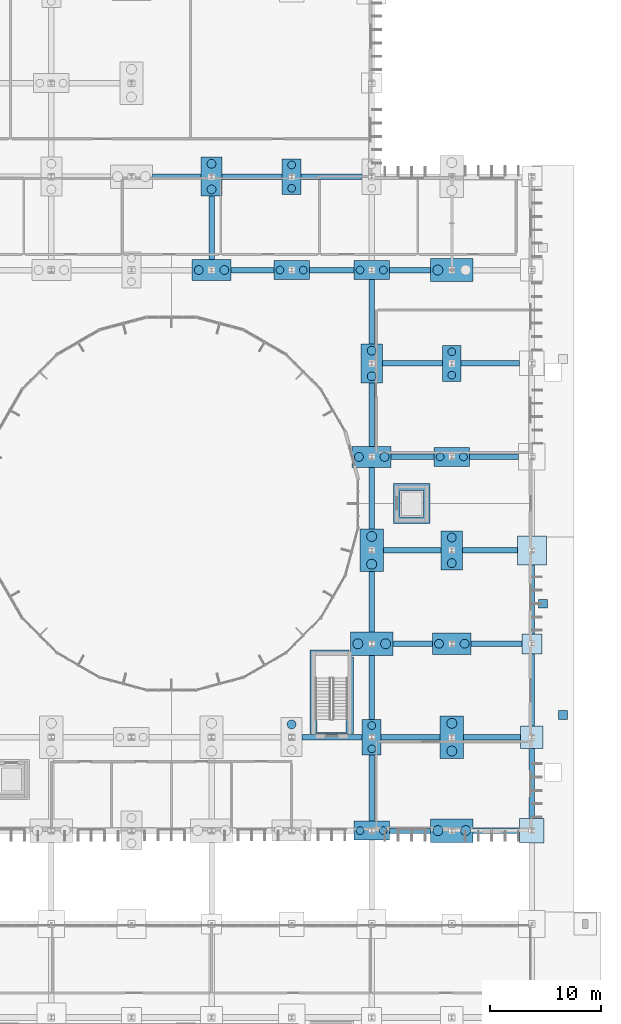
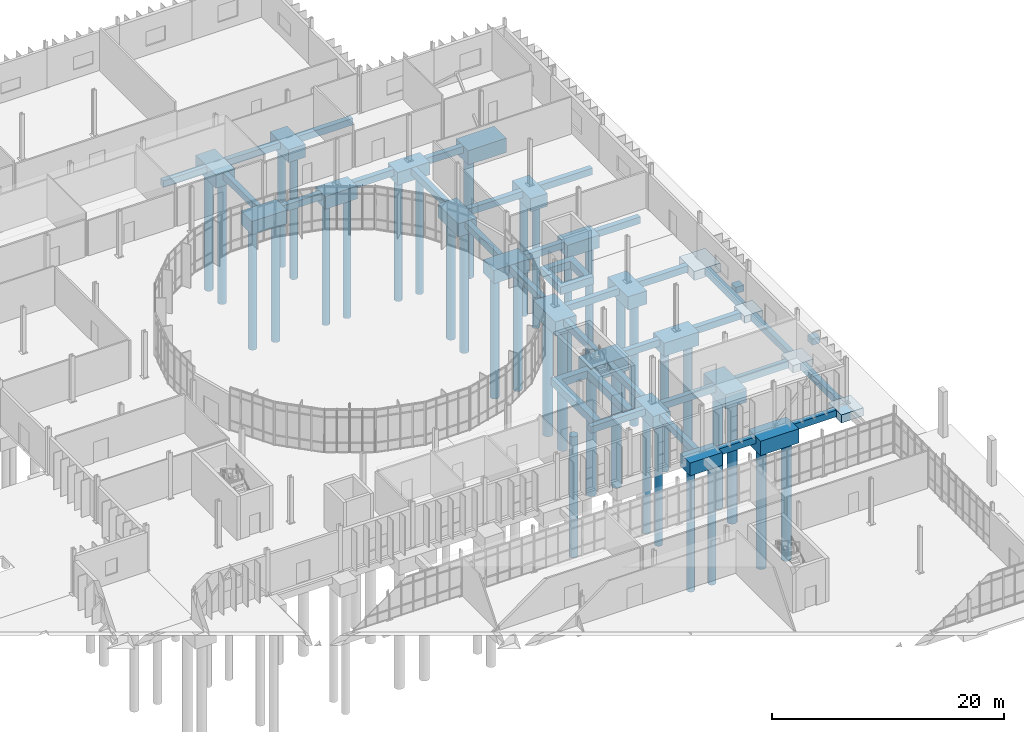
# One storey, part 6 of 118: 55 footings, 36 piles.
"""IFC4 building model written with IfcOpenShell, lengths in metres."""

from ifc_helpers import new_model, si_unit, direction, frame, origin, origin_2d, place, context, subcontext, project, spatial, polyline, rectangle, circle, outline, extrude, material, layer, layer_set, material_profile, profile_set, type_object, element, save


model = new_model("IFC4")

# Units and contexts
model_context = context("Model", 3, precision=1e-05, world=origin(), true_north=direction((0.0, 1.0)))
body_context = subcontext(model_context, "Body", "Model", "MODEL_VIEW")
ifc_project = project(units=[si_unit("LENGTHUNIT", "METRE"), si_unit("AREAUNIT", "SQUARE_METRE"), si_unit("VOLUMEUNIT", "CUBIC_METRE"), si_unit("PLANEANGLEUNIT", "RADIAN"), si_unit("MASSUNIT", "GRAM", prefix="KILO")], contexts=[model_context])

# Site, building, storey
site_placement = place(None, origin())
site = spatial("IfcSite", under=ifc_project, at=site_placement, CompositionType="ELEMENT")
building_placement = place(site_placement, origin())
building = spatial("IfcBuilding", under=site, at=building_placement, Name="Qelthora Terrace Specialist Clinic", CompositionType="ELEMENT")
storey_placement = place(building_placement, origin())
storey = spatial("IfcBuildingStorey", under=building, at=storey_placement, Name="L00", CompositionType="ELEMENT", Elevation=0.0)

# Footings
ifc_material = material(Name="Concrete C35/45", Category="concrete")
ifc_layer_1 = layer(ifc_material, 1.35009765625)
ifc_layer_set_1 = layer_set([ifc_layer_1], Name="Concrete C35/45")
footing_type_1 = type_object("IfcFootingType", Name="PC-1700X3200X1350", PredefinedType="PILE_CAP", material=ifc_layer_set_1)
for number, where, z_axis, x_axis, name in (
    (1, (136.800048828125, 92.39990234375, -1.610107421875), (0.0, 0.0, 1.0), (1.0, 0.0, 0.0), "Foundation FTG-L00-221"),
    (2, (144.0, 42.0, -1.610107421875), (0.0, 0.0, 1.0), (1.0, 0.0, 0.0), "Foundation FTG-L00-227"),
    (3, (151.199951171875, 75.60009765625, -1.610107421875), (0.0, 0.0, 1.0), (1.0, 0.0, 0.0), "Foundation FTG-L00-245"),
):
    element("IfcFooting", number, at=place(storey_placement, frame(where, z_axis=z_axis, x_axis=x_axis)), inside=storey, type_object=footing_type_1, Name=name, PredefinedType="PILE_CAP", context=body_context, shape_type="SweptSolid", body=[
        extrude(rectangle(XDim=1.699951171875, YDim=3.199951171875, at=origin_2d()), origin(), (0.0, 0.0, 1.0), 1.35009765625),
    ])
ifc_layer_2 = layer(ifc_material, 1.39990234375)
ifc_layer_set_2 = layer_set([ifc_layer_2], Name="Concrete C35/45")
footing_type_2 = type_object("IfcFootingType", Name="PC-1900X3500X1400", PredefinedType="PILE_CAP", material=ifc_layer_set_2)
for number, where, z_axis, x_axis, name in (
    (4, (129.60009765625, 92.39990234375, -1.659912109375), (0.0, 0.0, 1.0), (1.0, 0.0, 0.0), "Foundation FTG-L00-213"),
    (5, (144.0, 75.60009765625, -1.659912109375), (0.0, 0.0, 1.0), (1.0, 0.0, 0.0), "Foundation FTG-L00-231"),
    (6, (151.199951171875, 58.800048828125, -1.659912109375), (0.0, 0.0, 1.0), (1.0, 0.0, 0.0), "Foundation FTG-L00-243"),
):
    element("IfcFooting", number, at=place(storey_placement, frame(where, z_axis=z_axis, x_axis=x_axis)), inside=storey, type_object=footing_type_2, Name=name, PredefinedType="PILE_CAP", context=body_context, shape_type="SweptSolid", body=[
        extrude(rectangle(XDim=1.89990234375, YDim=3.5, at=origin_2d()), origin(), (0.0, 0.0, 1.0), 1.39990234375),
    ])
ifc_layer_3 = layer(ifc_material, 1.5)
ifc_layer_set_3 = layer_set([ifc_layer_3], Name="Concrete C35/45")
footing_type_3 = type_object("IfcFootingType", Name="PC-2100X3800X1500", PredefinedType="PILE_CAP", material=ifc_layer_set_3)
for number, where, z_axis, x_axis, name in (
    (7, (144.0, 58.800048828125, -1.760009765625), (0.0, 0.0, 1.0), (1.0, 0.0, 0.0), "Foundation FTG-L00-229"),
    (8, (151.199951171875, 42.0, -1.760009765625), (0.0, 0.0, 1.0), (1.0, 0.0, 0.0), "Foundation FTG-L00-241"),
):
    element("IfcFooting", number, at=place(storey_placement, frame(where, z_axis=z_axis, x_axis=x_axis)), inside=storey, type_object=footing_type_3, Name=name, PredefinedType="PILE_CAP", context=body_context, shape_type="SweptSolid", body=[
        extrude(rectangle(XDim=2.10009765625, YDim=3.800048828125, at=origin_2d()), origin(), (0.0, 0.0, 1.0), 1.5),
    ])
ifc_layer_4 = layer(ifc_material, 1.35009765625)
ifc_layer_set_4 = layer_set([ifc_layer_4], Name="Concrete C35/45")
footing_type_4 = type_object("IfcFootingType", Name="PC-3200X1700X1350", PredefinedType="PILE_CAP", material=ifc_layer_set_4)
for number, where, z_axis, x_axis, name in (
    (9, (136.800048828125, 84.0, -1.610107421875), (0.0, 0.0, 1.0), (1.0, 0.0, 0.0), "Foundation FTG-L00-220"),
    (10, (144.0, 33.60009765625, -1.610107421875), (0.0, 0.0, 1.0), (1.0, 0.0, 0.0), "Foundation FTG-L00-226"),
    (11, (144.0, 84.0, -1.610107421875), (0.0, 0.0, 1.0), (1.0, 0.0, 0.0), "Foundation FTG-L00-232"),
    (12, (151.199951171875, 67.199951171875, -1.610107421875), (0.0, 0.0, 1.0), (1.0, 0.0, 0.0), "Foundation FTG-L00-244"),
):
    element("IfcFooting", number, at=place(storey_placement, frame(where, z_axis=z_axis, x_axis=x_axis)), inside=storey, type_object=footing_type_4, Name=name, PredefinedType="PILE_CAP", context=body_context, shape_type="SweptSolid", body=[
        extrude(rectangle(XDim=3.199951171875, YDim=1.699951171875, at=origin_2d()), origin(), (0.0, 0.0, 1.0), 1.35009765625),
    ])
ifc_layer_5 = layer(ifc_material, 1.39990234375)
ifc_layer_set_5 = layer_set([ifc_layer_5], Name="Concrete C35/45")
footing_type_5 = type_object("IfcFootingType", Name="PC-3500X1900X1400", PredefinedType="PILE_CAP", material=ifc_layer_set_5)
for number, where, z_axis, x_axis, name in (
    (13, (129.60009765625, 84.0, -1.659912109375), (0.0, 0.0, 1.0), (1.0, 0.0, 0.0), "Foundation FTG-L00-212"),
    (14, (144.0, 67.199951171875, -1.659912109375), (0.0, 0.0, 1.0), (1.0, 0.0, 0.0), "Foundation FTG-L00-230"),
    (15, (151.199951171875, 50.39990234375, -1.659912109375), (0.0, 0.0, 1.0), (1.0, 0.0, 0.0), "Foundation FTG-L00-242"),
):
    element("IfcFooting", number, at=place(storey_placement, frame(where, z_axis=z_axis, x_axis=x_axis)), inside=storey, type_object=footing_type_5, Name=name, PredefinedType="PILE_CAP", context=body_context, shape_type="SweptSolid", body=[
        extrude(rectangle(XDim=3.5, YDim=1.89990234375, at=origin_2d()), origin(), (0.0, 0.0, 1.0), 1.39990234375),
    ])
ifc_layer_6 = layer(ifc_material, 1.5)
ifc_layer_set_6 = layer_set([ifc_layer_6], Name="Concrete C35/45")
footing_type_6 = type_object("IfcFootingType", Name="PC-3800X2100X1500", PredefinedType="PILE_CAP", material=ifc_layer_set_6)
for number, where, z_axis, x_axis, name in (
    (16, (144.0, 50.39990234375, -1.760009765625), (0.0, 0.0, 1.0), (1.0, 0.0, 0.0), "Foundation FTG-L00-228"),
    (17, (151.199951171875, 33.60009765625, -1.760009765625), (0.0, 0.0, 1.0), (1.0, 0.0, 0.0), "Foundation FTG-L00-240"),
    (18, (151.199951171875, 84.0, -1.760009765625), (0.0, 0.0, 1.0), (1.0, 0.0, 0.0), "Foundation FTG-L00-246"),
):
    element("IfcFooting", number, at=place(storey_placement, frame(where, z_axis=z_axis, x_axis=x_axis)), inside=storey, type_object=footing_type_6, Name=name, PredefinedType="PILE_CAP", context=body_context, shape_type="SweptSolid", body=[
        extrude(rectangle(XDim=3.800048828125, YDim=2.10009765625, at=origin_2d()), origin(), (0.0, 0.0, 1.0), 1.5),
    ])
ifc_layer_7 = layer(ifc_material, 0.75)
ifc_layer_set_7 = layer_set([ifc_layer_7], Name="Concrete C35/45")
footing_type_7 = type_object("IfcFootingType", Name="PF-1800X1800X750", PredefinedType="PAD_FOOTING", material=ifc_layer_set_7)
footing_1_placement = place(storey_placement, frame((158.39990234375, 50.39990234375, -1.010009765625), z_axis=(0.0, 0.0, 1.0), x_axis=(1.0, 0.0, 0.0)))
element("IfcFooting", 19, at=footing_1_placement, inside=storey, type_object=footing_type_7, Name="Foundation FTG-L00-254", PredefinedType="PAD_FOOTING", context=body_context, shape_type="SweptSolid", body=[
    extrude(rectangle(XDim=1.800048828125, YDim=1.800048828125, at=origin_2d()), origin(), (0.0, 0.0, 1.0), 0.75),
])
ifc_layer_8 = layer(ifc_material, 0.800048828125)
ifc_layer_set_8 = layer_set([ifc_layer_8], Name="Concrete C35/45")
footing_type_8 = type_object("IfcFootingType", Name="PF-2000X2000X800", PredefinedType="PAD_FOOTING", material=ifc_layer_set_8)
footing_2_placement = place(storey_placement, frame((158.39990234375, 42.0, -1.06005859375), z_axis=(0.0, 0.0, 1.0), x_axis=(1.0, 0.0, 0.0)))
element("IfcFooting", 20, at=footing_2_placement, inside=storey, type_object=footing_type_8, Name="Foundation FTG-L00-253", PredefinedType="PAD_FOOTING", context=body_context, shape_type="SweptSolid", body=[
    extrude(rectangle(XDim=2.0, YDim=2.0, at=origin_2d()), origin(), (0.0, 0.0, 1.0), 0.800048828125),
])
ifc_layer_9 = layer(ifc_material, 0.85009765625)
ifc_layer_set_9 = layer_set([ifc_layer_9], Name="Concrete C35/45")
footing_type_9 = type_object("IfcFootingType", Name="PF-2200X2200X850", PredefinedType="PAD_FOOTING", material=ifc_layer_set_9)
footing_3_placement = place(storey_placement, frame((158.39990234375, 33.60009765625, -1.110107421875), z_axis=(0.0, 0.0, 1.0), x_axis=(1.0, 0.0, 0.0)))
element("IfcFooting", 21, at=footing_3_placement, inside=storey, type_object=footing_type_9, Name="Foundation FTG-L00-252", PredefinedType="PAD_FOOTING", context=body_context, shape_type="SweptSolid", body=[
    extrude(rectangle(XDim=2.199951171875, YDim=2.199951171875, at=origin_2d()), origin(), (0.0, 0.0, 1.0), 0.85009765625),
])
ifc_layer_10 = layer(ifc_material, 0.949951171875)
ifc_layer_set_10 = layer_set([ifc_layer_10], Name="Concrete C35/45")
footing_type_10 = type_object("IfcFootingType", Name="PF-2600X2600X950", PredefinedType="PAD_FOOTING", material=ifc_layer_set_10)
footing_4_placement = place(storey_placement, frame((158.39990234375, 58.800048828125, -1.2099609375), z_axis=(0.0, 0.0, 1.0), x_axis=(1.0, 0.0, 0.0)))
element("IfcFooting", 22, at=footing_4_placement, inside=storey, type_object=footing_type_10, Name="Foundation FTG-L00-255", PredefinedType="PAD_FOOTING", context=body_context, shape_type="SweptSolid", body=[
    extrude(rectangle(XDim=2.60009765625, YDim=2.60009765625, at=origin_2d()), origin(), (0.0, 0.0, 1.0), 0.949951171875),
])
ifc_layer_11 = layer(ifc_material, 0.64990234375)
ifc_layer_set_11 = layer_set([ifc_layer_11], Name="Concrete C35/45")
footing_type_11 = type_object("IfcFootingType", Name="PF-800X800X650", PredefinedType="PAD_FOOTING", material=ifc_layer_set_11)
for number, where, z_axis, x_axis, name in (
    (23, (161.199951171875, 44.0, -0.89990234375), (0.0, 0.0, 1.0), (1.0, 0.0, 0.0), "Under-slab apron pad footing FTG-PLZ-26"),
    (24, (159.39990234375, 54.0, -0.89990234375), (0.0, 0.0, 1.0), (1.0, 0.0, 0.0), "Under-slab apron pad footing FTG-PLZ-27"),
):
    element("IfcFooting", number, at=place(storey_placement, frame(where, z_axis=z_axis, x_axis=x_axis)), inside=storey, type_object=footing_type_11, Name=name, PredefinedType="PAD_FOOTING", context=body_context, shape_type="SweptSolid", body=[
        extrude(rectangle(XDim=0.800048828125, YDim=0.800048828125, at=origin_2d()), origin(), (0.0, 0.0, 1.0), 0.64990234375),
    ])

# Piles
ifc_material_profile_1 = material_profile(ifc_material, circle(Radius=0.35009765625, at=origin_2d()), Name="PILE700")
ifc_profile_set_1 = profile_set([ifc_material_profile_1], Name="Concrete C35/45")
pile_type_1 = type_object("IfcPileType", Name="PILE-D700-C35", PredefinedType="BORED", material=ifc_profile_set_1)
for number, where, z_axis, x_axis, name in (
    (25, (135.75, 84.0, -1.510009765625), (0.0, 0.0, -1.0), (1.0, 0.0, 0.0), "Bored pile PILE-L00-220-1"),
    (26, (137.85009765625, 84.0, -1.510009765625), (0.0, 0.0, -1.0), (1.0, 0.0, 0.0), "Bored pile PILE-L00-220-2"),
    (27, (136.800048828125, 91.35009765625, -1.510009765625), (0.0, 0.0, -1.0), (1.0, 0.0, 0.0), "Bored pile PILE-L00-221-1"),
    (28, (136.800048828125, 93.449951171875, -1.510009765625), (0.0, 0.0, -1.0), (1.0, 0.0, 0.0), "Bored pile PILE-L00-221-2"),
    (29, (142.949951171875, 33.60009765625, -1.510009765625), (0.0, 0.0, -1.0), (1.0, 0.0, 0.0), "Bored pile PILE-L00-226-1"),
    (30, (145.050048828125, 33.60009765625, -1.510009765625), (0.0, 0.0, -1.0), (1.0, 0.0, 0.0), "Bored pile PILE-L00-226-2"),
    (31, (144.0, 40.949951171875, -1.510009765625), (0.0, 0.0, -1.0), (1.0, 0.0, 0.0), "Bored pile PILE-L00-227-1"),
    (32, (144.0, 43.050048828125, -1.510009765625), (0.0, 0.0, -1.0), (1.0, 0.0, 0.0), "Bored pile PILE-L00-227-2"),
    (33, (142.949951171875, 84.0, -1.510009765625), (0.0, 0.0, -1.0), (1.0, 0.0, 0.0), "Bored pile PILE-L00-232-1"),
    (34, (145.050048828125, 84.0, -1.510009765625), (0.0, 0.0, -1.0), (1.0, 0.0, 0.0), "Bored pile PILE-L00-232-2"),
    (35, (150.14990234375, 67.199951171875, -1.510009765625), (0.0, 0.0, -1.0), (1.0, 0.0, 0.0), "Bored pile PILE-L00-244-1"),
    (36, (152.25, 67.199951171875, -1.510009765625), (0.0, 0.0, -1.0), (1.0, 0.0, 0.0), "Bored pile PILE-L00-244-2"),
    (37, (151.199951171875, 74.550048828125, -1.510009765625), (0.0, 0.0, -1.0), (1.0, 0.0, 0.0), "Bored pile PILE-L00-245-1"),
    (38, (151.199951171875, 76.64990234375, -1.510009765625), (0.0, 0.0, -1.0), (1.0, 0.0, 0.0), "Bored pile PILE-L00-245-2"),
):
    element("IfcPile", number, at=place(storey_placement, frame(where, z_axis=z_axis, x_axis=x_axis)), inside=storey, type_object=pile_type_1, Name=name, PredefinedType="BORED", context=body_context, shape_type="SweptSolid", body=[
        extrude(circle(Radius=0.35009765625, at=origin_2d()), origin(), (0.0, 0.0, 1.0), 12.7900390625),
    ])
ifc_material_profile_2 = material_profile(ifc_material, circle(Radius=0.39990234375, at=origin_2d()), Name="PILE800")
ifc_profile_set_2 = profile_set([ifc_material_profile_2], Name="Concrete C35/45")
pile_type_2 = type_object("IfcPileType", Name="PILE-D800-C35", PredefinedType="BORED", material=ifc_profile_set_2)
for number, where, z_axis, x_axis, name in (
    (39, (128.449951171875, 84.0, -1.56005859375), (0.0, 0.0, -1.0), (1.0, 0.0, 0.0), "Bored pile PILE-L00-212-1"),
    (40, (130.75, 84.0, -1.56005859375), (0.0, 0.0, -1.0), (1.0, 0.0, 0.0), "Bored pile PILE-L00-212-2"),
    (41, (129.60009765625, 91.25, -1.56005859375), (0.0, 0.0, -1.0), (1.0, 0.0, 0.0), "Bored pile PILE-L00-213-1"),
    (42, (129.60009765625, 93.550048828125, -1.56005859375), (0.0, 0.0, -1.0), (1.0, 0.0, 0.0), "Bored pile PILE-L00-213-2"),
    (43, (136.800048828125, 43.14990234375, -1.56005859375), (0.0, 0.0, -1.0), (1.0, 0.0, 0.0), "Bored pile PILE-L00-219-2"),
    (44, (142.85009765625, 67.199951171875, -1.56005859375), (0.0, 0.0, -1.0), (1.0, 0.0, 0.0), "Bored pile PILE-L00-230-1"),
    (45, (145.14990234375, 67.199951171875, -1.56005859375), (0.0, 0.0, -1.0), (1.0, 0.0, 0.0), "Bored pile PILE-L00-230-2"),
    (46, (144.0, 74.449951171875, -1.56005859375), (0.0, 0.0, -1.0), (1.0, 0.0, 0.0), "Bored pile PILE-L00-231-1"),
    (47, (144.0, 76.75, -1.56005859375), (0.0, 0.0, -1.0), (1.0, 0.0, 0.0), "Bored pile PILE-L00-231-2"),
    (48, (150.050048828125, 50.39990234375, -1.56005859375), (0.0, 0.0, -1.0), (1.0, 0.0, 0.0), "Bored pile PILE-L00-242-1"),
    (49, (152.35009765625, 50.39990234375, -1.56005859375), (0.0, 0.0, -1.0), (1.0, 0.0, 0.0), "Bored pile PILE-L00-242-2"),
    (50, (151.199951171875, 57.64990234375, -1.56005859375), (0.0, 0.0, -1.0), (1.0, 0.0, 0.0), "Bored pile PILE-L00-243-1"),
    (51, (151.199951171875, 59.949951171875, -1.56005859375), (0.0, 0.0, -1.0), (1.0, 0.0, 0.0), "Bored pile PILE-L00-243-2"),
):
    element("IfcPile", number, at=place(storey_placement, frame(where, z_axis=z_axis, x_axis=x_axis)), inside=storey, type_object=pile_type_2, Name=name, PredefinedType="BORED", context=body_context, shape_type="SweptSolid", body=[
        extrude(circle(Radius=0.39990234375, at=origin_2d()), origin(), (0.0, 0.0, 1.0), 12.739990234375),
    ])
ifc_material_profile_3 = material_profile(ifc_material, circle(Radius=0.449951171875, at=origin_2d()), Name="PILE900")
ifc_profile_set_3 = profile_set([ifc_material_profile_3], Name="Concrete C35/45")
pile_type_3 = type_object("IfcPileType", Name="PILE-D900-C35", PredefinedType="BORED", material=ifc_profile_set_3)
for number, where, z_axis, x_axis, name in (
    (52, (142.75, 50.39990234375, -1.659912109375), (0.0, 0.0, -1.0), (1.0, 0.0, 0.0), "Bored pile PILE-L00-228-1"),
    (53, (145.25, 50.39990234375, -1.659912109375), (0.0, 0.0, -1.0), (1.0, 0.0, 0.0), "Bored pile PILE-L00-228-2"),
    (54, (144.0, 57.550048828125, -1.659912109375), (0.0, 0.0, -1.0), (1.0, 0.0, 0.0), "Bored pile PILE-L00-229-1"),
    (55, (144.0, 60.050048828125, -1.659912109375), (0.0, 0.0, -1.0), (1.0, 0.0, 0.0), "Bored pile PILE-L00-229-2"),
    (56, (149.949951171875, 33.60009765625, -1.659912109375), (0.0, 0.0, -1.0), (1.0, 0.0, 0.0), "Bored pile PILE-L00-240-1"),
    (57, (152.449951171875, 33.60009765625, -1.659912109375), (0.0, 0.0, -1.0), (1.0, 0.0, 0.0), "Bored pile PILE-L00-240-2"),
    (58, (151.199951171875, 40.75, -1.659912109375), (0.0, 0.0, -1.0), (1.0, 0.0, 0.0), "Bored pile PILE-L00-241-1"),
    (59, (151.199951171875, 43.25, -1.659912109375), (0.0, 0.0, -1.0), (1.0, 0.0, 0.0), "Bored pile PILE-L00-241-2"),
    (60, (149.949951171875, 84.0, -1.659912109375), (0.0, 0.0, -1.0), (1.0, 0.0, 0.0), "Bored pile PILE-L00-246-1"),
):
    element("IfcPile", number, at=place(storey_placement, frame(where, z_axis=z_axis, x_axis=x_axis)), inside=storey, type_object=pile_type_3, Name=name, PredefinedType="BORED", context=body_context, shape_type="SweptSolid", body=[
        extrude(circle(Radius=0.449951171875, at=origin_2d()), origin(), (0.0, 0.0, 1.0), 12.639892578125),
    ])

# Footings
ifc_layer_12 = layer(ifc_material, 0.699951171875)
ifc_layer_set_12 = layer_set([ifc_layer_12], Name="Concrete C35/45")
footing_type_12 = type_object("IfcFootingType", Name="SF-500X700-C35", PredefinedType="STRIP_FOOTING", material=ifc_layer_set_12)
footing_5_placement = place(storey_placement, frame((0.0, 0.0, -0.9599609375)))
element("IfcFooting", 61, at=footing_5_placement, inside=storey, type_object=footing_type_12, Name="Foundation tie strip SF-X-259", PredefinedType="STRIP_FOOTING", context=body_context, shape_type="SweptSolid", body=[
    extrude(outline(polyline([(124.300048828125, 92.14990234375), (128.64990234375, 92.14990234375), (128.64990234375, 92.64990234375), (124.300048828125, 92.64990234375), (124.300048828125, 92.14990234375)])), origin(), (0.0, 0.0, 1.0), 0.699951171875),
])
footing_6_placement = place(storey_placement, frame((0.0, 0.0, -0.9599609375)))
element("IfcFooting", 62, at=footing_6_placement, inside=storey, type_object=footing_type_12, Name="Foundation tie strip SF-X-269", PredefinedType="STRIP_FOOTING", context=body_context, shape_type="SweptSolid", body=[
    extrude(outline(polyline([(131.35009765625, 83.75), (135.199951171875, 83.75), (135.199951171875, 84.25), (131.35009765625, 84.25), (131.35009765625, 83.75)])), origin(), (0.0, 0.0, 1.0), 0.699951171875),
])
footing_7_placement = place(storey_placement, frame((0.0, 0.0, -0.9599609375)))
element("IfcFooting", 63, at=footing_7_placement, inside=storey, type_object=footing_type_12, Name="Foundation tie strip SF-Y-270", PredefinedType="STRIP_FOOTING", context=body_context, shape_type="SweptSolid", body=[
    extrude(outline(polyline([(129.35009765625, 84.949951171875), (129.85009765625, 84.949951171875), (129.85009765625, 90.64990234375), (129.35009765625, 90.64990234375), (129.35009765625, 84.949951171875)])), origin(), (0.0, 0.0, 1.0), 0.699951171875),
])
footing_8_placement = place(storey_placement, frame((0.0, 0.0, -0.9599609375)))
element("IfcFooting", 64, at=footing_8_placement, inside=storey, type_object=footing_type_12, Name="Foundation tie strip SF-X-271", PredefinedType="STRIP_FOOTING", context=body_context, shape_type="SweptSolid", body=[
    extrude(outline(polyline([(130.550048828125, 92.14990234375), (135.949951171875, 92.14990234375), (135.949951171875, 92.64990234375), (130.550048828125, 92.64990234375), (130.550048828125, 92.14990234375)])), origin(), (0.0, 0.0, 1.0), 0.699951171875),
])
footing_9_placement = place(storey_placement, frame((0.0, 0.0, -0.9599609375)))
element("IfcFooting", 65, at=footing_9_placement, inside=storey, type_object=footing_type_12, Name="Foundation tie strip SF-X-277", PredefinedType="STRIP_FOOTING", context=body_context, shape_type="SweptSolid", body=[
    extrude(outline(polyline([(137.75, 41.75), (143.14990234375, 41.75), (143.14990234375, 42.25), (137.75, 42.25), (137.75, 41.75)])), origin(), (0.0, 0.0, 1.0), 0.699951171875),
])
footing_10_placement = place(storey_placement, frame((0.0, 0.0, -0.9599609375)))
element("IfcFooting", 66, at=footing_10_placement, inside=storey, type_object=footing_type_12, Name="Foundation tie strip SF-X-278", PredefinedType="STRIP_FOOTING", context=body_context, shape_type="SweptSolid", body=[
    extrude(outline(polyline([(138.39990234375, 83.75), (142.39990234375, 83.75), (142.39990234375, 84.25), (138.39990234375, 84.25), (138.39990234375, 83.75)])), origin(), (0.0, 0.0, 1.0), 0.699951171875),
])
footing_11_placement = place(storey_placement, frame((0.0, 0.0, -0.9599609375)))
element("IfcFooting", 67, at=footing_11_placement, inside=storey, type_object=footing_type_12, Name="Foundation tie strip SF-X-279", PredefinedType="STRIP_FOOTING", context=body_context, shape_type="SweptSolid", body=[
    extrude(outline(polyline([(137.64990234375, 92.14990234375), (143.14990234375, 92.14990234375), (143.14990234375, 92.64990234375), (137.64990234375, 92.64990234375), (137.64990234375, 92.14990234375)])), origin(), (0.0, 0.0, 1.0), 0.699951171875),
])
footing_12_placement = place(storey_placement, frame((0.0, 0.0, -0.9599609375)))
element("IfcFooting", 68, at=footing_12_placement, inside=storey, type_object=footing_type_12, Name="Foundation tie strip SF-X-286", PredefinedType="STRIP_FOOTING", context=body_context, shape_type="SweptSolid", body=[
    extrude(outline(polyline([(145.60009765625, 33.35009765625), (149.300048828125, 33.35009765625), (149.300048828125, 33.85009765625), (145.60009765625, 33.85009765625), (145.60009765625, 33.35009765625)])), origin(), (0.0, 0.0, 1.0), 0.699951171875),
])
footing_13_placement = place(storey_placement, frame((0.0, 0.0, -0.9599609375)))
element("IfcFooting", 69, at=footing_13_placement, inside=storey, type_object=footing_type_12, Name="Foundation tie strip SF-Y-287", PredefinedType="STRIP_FOOTING", context=body_context, shape_type="SweptSolid", body=[
    extrude(outline(polyline([(143.75, 34.449951171875), (144.25, 34.449951171875), (144.25, 40.39990234375), (143.75, 40.39990234375), (143.75, 34.449951171875)])), origin(), (0.0, 0.0, 1.0), 0.699951171875),
])
footing_14_placement = place(storey_placement, frame((0.0, 0.0, -0.9599609375)))
element("IfcFooting", 70, at=footing_14_placement, inside=storey, type_object=footing_type_12, Name="Foundation tie strip SF-X-288", PredefinedType="STRIP_FOOTING", context=body_context, shape_type="SweptSolid", body=[
    extrude(outline(polyline([(144.85009765625, 41.75), (150.14990234375, 41.75), (150.14990234375, 42.25), (144.85009765625, 42.25), (144.85009765625, 41.75)])), origin(), (0.0, 0.0, 1.0), 0.699951171875),
])
footing_15_placement = place(storey_placement, frame((0.0, 0.0, -0.9599609375)))
element("IfcFooting", 71, at=footing_15_placement, inside=storey, type_object=footing_type_12, Name="Foundation tie strip SF-Y-289", PredefinedType="STRIP_FOOTING", context=body_context, shape_type="SweptSolid", body=[
    extrude(outline(polyline([(143.75, 43.60009765625), (144.25, 43.60009765625), (144.25, 49.35009765625), (143.75, 49.35009765625), (143.75, 43.60009765625)])), origin(), (0.0, 0.0, 1.0), 0.699951171875),
])
footing_16_placement = place(storey_placement, frame((0.0, 0.0, -0.9599609375)))
element("IfcFooting", 72, at=footing_16_placement, inside=storey, type_object=footing_type_12, Name="Foundation tie strip SF-X-290", PredefinedType="STRIP_FOOTING", context=body_context, shape_type="SweptSolid", body=[
    extrude(outline(polyline([(145.89990234375, 50.14990234375), (149.449951171875, 50.14990234375), (149.449951171875, 50.64990234375), (145.89990234375, 50.64990234375), (145.89990234375, 50.14990234375)])), origin(), (0.0, 0.0, 1.0), 0.699951171875),
])
footing_17_placement = place(storey_placement, frame((0.0, 0.0, -0.9599609375)))
element("IfcFooting", 73, at=footing_17_placement, inside=storey, type_object=footing_type_12, Name="Foundation tie strip SF-Y-291", PredefinedType="STRIP_FOOTING", context=body_context, shape_type="SweptSolid", body=[
    extrude(outline(polyline([(143.75, 51.449951171875), (144.25, 51.449951171875), (144.25, 56.89990234375), (143.75, 56.89990234375), (143.75, 51.449951171875)])), origin(), (0.0, 0.0, 1.0), 0.699951171875),
])
footing_18_placement = place(storey_placement, frame((0.0, 0.0, -0.9599609375)))
element("IfcFooting", 74, at=footing_18_placement, inside=storey, type_object=footing_type_12, Name="Foundation tie strip SF-X-292", PredefinedType="STRIP_FOOTING", context=body_context, shape_type="SweptSolid", body=[
    extrude(outline(polyline([(145.050048828125, 58.550048828125), (150.25, 58.550048828125), (150.25, 59.050048828125), (145.050048828125, 59.050048828125), (145.050048828125, 58.550048828125)])), origin(), (0.0, 0.0, 1.0), 0.699951171875),
])
footing_19_placement = place(storey_placement, frame((0.0, 0.0, -0.9599609375)))
element("IfcFooting", 75, at=footing_19_placement, inside=storey, type_object=footing_type_12, Name="Foundation tie strip SF-Y-293", PredefinedType="STRIP_FOOTING", context=body_context, shape_type="SweptSolid", body=[
    extrude(outline(polyline([(143.75, 60.699951171875), (144.25, 60.699951171875), (144.25, 66.25), (143.75, 66.25), (143.75, 60.699951171875)])), origin(), (0.0, 0.0, 1.0), 0.699951171875),
])
footing_20_placement = place(storey_placement, frame((0.0, 0.0, -0.9599609375)))
element("IfcFooting", 76, at=footing_20_placement, inside=storey, type_object=footing_type_12, Name="Foundation tie strip SF-X-294", PredefinedType="STRIP_FOOTING", context=body_context, shape_type="SweptSolid", body=[
    extrude(outline(polyline([(145.75, 66.949951171875), (149.60009765625, 66.949951171875), (149.60009765625, 67.449951171875), (145.75, 67.449951171875), (145.75, 66.949951171875)])), origin(), (0.0, 0.0, 1.0), 0.699951171875),
])
footing_21_placement = place(storey_placement, frame((0.0, 0.0, -0.9599609375)))
element("IfcFooting", 77, at=footing_21_placement, inside=storey, type_object=footing_type_12, Name="Foundation tie strip SF-Y-295", PredefinedType="STRIP_FOOTING", context=body_context, shape_type="SweptSolid", body=[
    extrude(outline(polyline([(143.75, 68.14990234375), (144.25, 68.14990234375), (144.25, 73.85009765625), (143.75, 73.85009765625), (143.75, 68.14990234375)])), origin(), (0.0, 0.0, 1.0), 0.699951171875),
])
footing_22_placement = place(storey_placement, frame((0.0, 0.0, -0.9599609375)))
element("IfcFooting", 78, at=footing_22_placement, inside=storey, type_object=footing_type_12, Name="Foundation tie strip SF-X-296", PredefinedType="STRIP_FOOTING", context=body_context, shape_type="SweptSolid", body=[
    extrude(outline(polyline([(144.949951171875, 75.35009765625), (150.35009765625, 75.35009765625), (150.35009765625, 75.85009765625), (144.949951171875, 75.85009765625), (144.949951171875, 75.35009765625)])), origin(), (0.0, 0.0, 1.0), 0.699951171875),
])
footing_23_placement = place(storey_placement, frame((0.0, 0.0, -0.9599609375)))
element("IfcFooting", 79, at=footing_23_placement, inside=storey, type_object=footing_type_12, Name="Foundation tie strip SF-Y-297", PredefinedType="STRIP_FOOTING", context=body_context, shape_type="SweptSolid", body=[
    extrude(outline(polyline([(143.75, 77.35009765625), (144.25, 77.35009765625), (144.25, 83.14990234375), (143.75, 83.14990234375), (143.75, 77.35009765625)])), origin(), (0.0, 0.0, 1.0), 0.699951171875),
])
footing_24_placement = place(storey_placement, frame((0.0, 0.0, -0.9599609375)))
element("IfcFooting", 80, at=footing_24_placement, inside=storey, type_object=footing_type_12, Name="Foundation tie strip SF-X-298", PredefinedType="STRIP_FOOTING", context=body_context, shape_type="SweptSolid", body=[
    extrude(outline(polyline([(145.60009765625, 83.75), (149.300048828125, 83.75), (149.300048828125, 84.25), (145.60009765625, 84.25), (145.60009765625, 83.75)])), origin(), (0.0, 0.0, 1.0), 0.699951171875),
])
footing_25_placement = place(storey_placement, frame((0.0, 0.0, -0.9599609375)))
element("IfcFooting", 81, at=footing_25_placement, inside=storey, type_object=footing_type_12, Name="Foundation tie strip SF-X-307", PredefinedType="STRIP_FOOTING", context=body_context, shape_type="SweptSolid", body=[
    extrude(outline(polyline([(153.10009765625, 33.35009765625), (157.300048828125, 33.35009765625), (157.300048828125, 33.85009765625), (153.10009765625, 33.85009765625), (153.10009765625, 33.35009765625)])), origin(), (0.0, 0.0, 1.0), 0.699951171875),
])
footing_26_placement = place(storey_placement, frame((0.0, 0.0, -0.9599609375)))
element("IfcFooting", 82, at=footing_26_placement, inside=storey, type_object=footing_type_12, Name="Foundation tie strip SF-X-308", PredefinedType="STRIP_FOOTING", context=body_context, shape_type="SweptSolid", body=[
    extrude(outline(polyline([(152.25, 41.75), (157.39990234375, 41.75), (157.39990234375, 42.25), (152.25, 42.25), (152.25, 41.75)])), origin(), (0.0, 0.0, 1.0), 0.699951171875),
])
footing_27_placement = place(storey_placement, frame((0.0, 0.0, -0.9599609375)))
element("IfcFooting", 83, at=footing_27_placement, inside=storey, type_object=footing_type_12, Name="Foundation tie strip SF-X-309", PredefinedType="STRIP_FOOTING", context=body_context, shape_type="SweptSolid", body=[
    extrude(outline(polyline([(152.949951171875, 50.14990234375), (157.5, 50.14990234375), (157.5, 50.64990234375), (152.949951171875, 50.64990234375), (152.949951171875, 50.14990234375)])), origin(), (0.0, 0.0, 1.0), 0.699951171875),
])
footing_28_placement = place(storey_placement, frame((0.0, 0.0, -0.9599609375)))
element("IfcFooting", 84, at=footing_28_placement, inside=storey, type_object=footing_type_12, Name="Foundation tie strip SF-X-310", PredefinedType="STRIP_FOOTING", context=body_context, shape_type="SweptSolid", body=[
    extrude(outline(polyline([(152.14990234375, 58.550048828125), (157.10009765625, 58.550048828125), (157.10009765625, 59.050048828125), (152.14990234375, 59.050048828125), (152.14990234375, 58.550048828125)])), origin(), (0.0, 0.0, 1.0), 0.699951171875),
])
footing_29_placement = place(storey_placement, frame((0.0, 0.0, -0.9599609375)))
element("IfcFooting", 85, at=footing_29_placement, inside=storey, type_object=footing_type_12, Name="Foundation tie strip SF-X-311", PredefinedType="STRIP_FOOTING", context=body_context, shape_type="SweptSolid", body=[
    extrude(outline(polyline([(152.800048828125, 66.949951171875), (157.199951171875, 66.949951171875), (157.199951171875, 67.449951171875), (152.800048828125, 67.449951171875), (152.800048828125, 66.949951171875)])), origin(), (0.0, 0.0, 1.0), 0.699951171875),
])
footing_30_placement = place(storey_placement, frame((0.0, 0.0, -0.9599609375)))
element("IfcFooting", 86, at=footing_30_placement, inside=storey, type_object=footing_type_12, Name="Foundation tie strip SF-X-312", PredefinedType="STRIP_FOOTING", context=body_context, shape_type="SweptSolid", body=[
    extrude(outline(polyline([(152.050048828125, 75.35009765625), (157.300048828125, 75.35009765625), (157.300048828125, 75.85009765625), (152.050048828125, 75.85009765625), (152.050048828125, 75.35009765625)])), origin(), (0.0, 0.0, 1.0), 0.699951171875),
])
footing_31_placement = place(storey_placement, frame((0.0, 0.0, -0.9599609375)))
element("IfcFooting", 87, at=footing_31_placement, inside=storey, type_object=footing_type_12, Name="Foundation tie strip SF-Y-319", PredefinedType="STRIP_FOOTING", context=body_context, shape_type="SweptSolid", body=[
    extrude(outline(polyline([(158.14990234375, 34.699951171875), (158.64990234375, 34.699951171875), (158.64990234375, 41.0), (158.14990234375, 41.0), (158.14990234375, 34.699951171875)])), origin(), (0.0, 0.0, 1.0), 0.699951171875),
])
footing_32_placement = place(storey_placement, frame((0.0, 0.0, -0.9599609375)))
element("IfcFooting", 88, at=footing_32_placement, inside=storey, type_object=footing_type_12, Name="Foundation tie strip SF-Y-320", PredefinedType="STRIP_FOOTING", context=body_context, shape_type="SweptSolid", body=[
    extrude(outline(polyline([(158.14990234375, 43.0), (158.64990234375, 43.0), (158.64990234375, 49.5), (158.14990234375, 49.5), (158.14990234375, 43.0)])), origin(), (0.0, 0.0, 1.0), 0.699951171875),
])
footing_33_placement = place(storey_placement, frame((0.0, 0.0, -0.9599609375)))
element("IfcFooting", 89, at=footing_33_placement, inside=storey, type_object=footing_type_12, Name="Foundation tie strip SF-Y-321", PredefinedType="STRIP_FOOTING", context=body_context, shape_type="SweptSolid", body=[
    extrude(outline(polyline([(158.14990234375, 51.300048828125), (158.64990234375, 51.300048828125), (158.64990234375, 57.5), (158.14990234375, 57.5), (158.14990234375, 51.300048828125)])), origin(), (0.0, 0.0, 1.0), 0.699951171875),
])
ifc_layer_13 = layer(ifc_material, 0.800048828125)
ifc_layer_set_13 = layer_set([ifc_layer_13], Name="Concrete C35/45")
footing_type_13 = type_object("IfcFootingType", Name="SF-600X800-C35", PredefinedType="STRIP_FOOTING", material=ifc_layer_set_13)
footing_34_placement = place(storey_placement, frame((0.0, 0.0, -1.06005859375)))
element("IfcFooting", 90, at=footing_34_placement, inside=storey, type_object=footing_type_13, Name="Core wall strip footing ST-06-02", PredefinedType="STRIP_FOOTING", context=body_context, shape_type="SweptSolid", body=[
    extrude(outline(polyline([(141.97998046875, 49.85009765625), (141.97998046875, 49.22998046875), (142.35009765625, 49.22998046875), (142.35009765625, 42.330078125), (138.449951171875, 42.330078125), (138.449951171875, 49.85009765625), (141.97998046875, 49.85009765625)]), holes=[polyline([(141.699951171875, 49.199951171875), (139.10009765625, 49.199951171875), (139.10009765625, 42.39990234375), (141.699951171875, 42.39990234375), (141.699951171875, 49.199951171875)])]), origin(), (0.0, 0.0, 1.0), 0.800048828125),
])
footing_35_placement = place(storey_placement, frame((0.0, 0.0, -1.06005859375)))
element("IfcFooting", 91, at=footing_35_placement, inside=storey, type_object=footing_type_13, Name="Core wall strip footing PL-02-06", PredefinedType="STRIP_FOOTING", context=body_context, shape_type="SweptSolid", body=[
    extrude(outline(polyline([(149.25, 64.800048828125), (149.25, 61.199951171875), (145.949951171875, 61.199951171875), (145.949951171875, 64.800048828125), (149.25, 64.800048828125)]), holes=[polyline([(148.64990234375, 64.199951171875), (146.550048828125, 64.199951171875), (146.550048828125, 61.800048828125), (148.64990234375, 61.800048828125), (148.64990234375, 64.199951171875)])]), origin(), (0.0, 0.0, 1.0), 0.800048828125),
])

save(model, "model.ifc")
